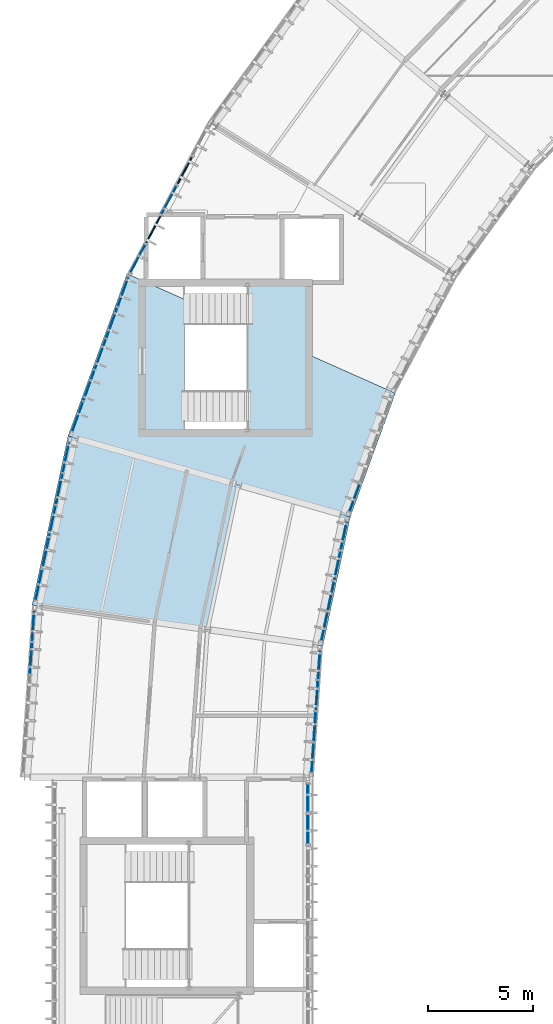
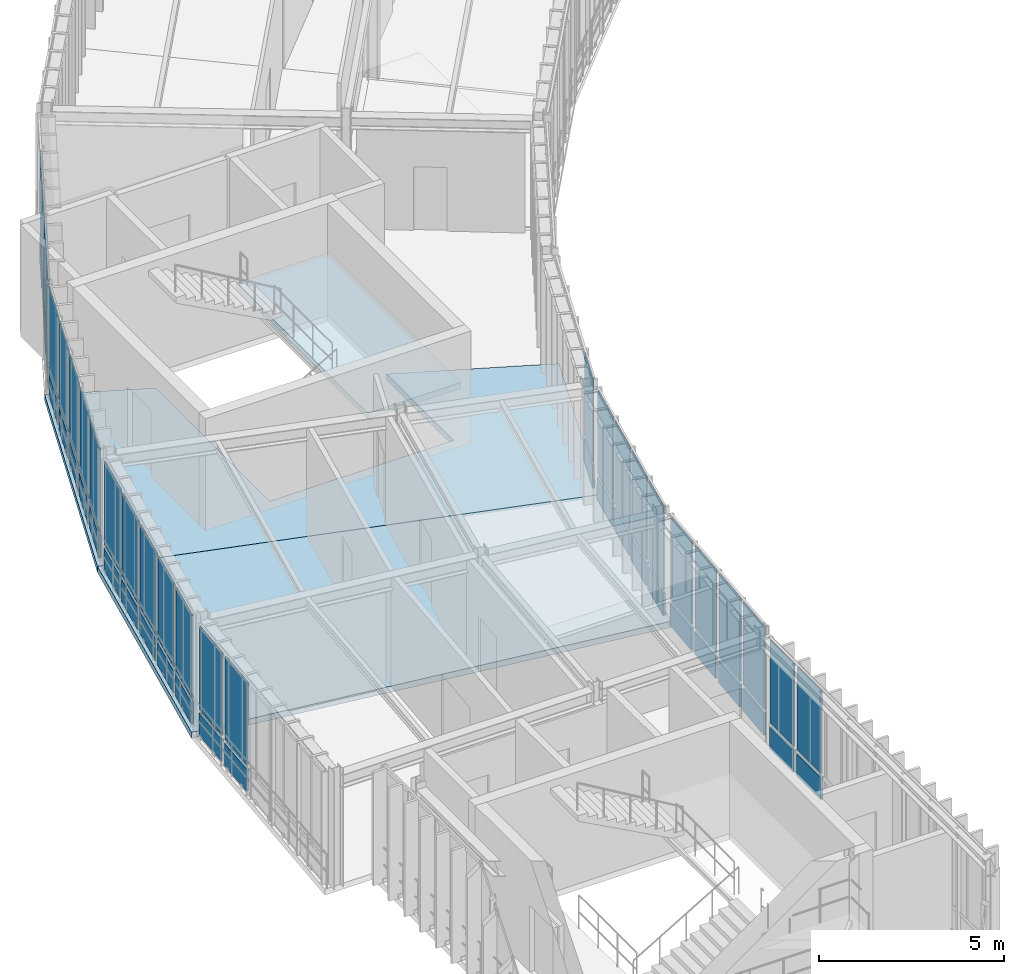
# One storey, part 10 of 25: 54 plates, 3 slabs, 9 elements without a shape of their own.
"""IFC4 building model written with IfcOpenShell, lengths in metres."""

from ifc_helpers import new_model, si_unit, direction, frame, origin, origin_2d, place, context, subcontext, project, spatial, polyline, rectangle, outline, extrude, material, layer, layer_set, type_object, element, aggregate, save


model = new_model("IFC4")

# Units and contexts
model_context = context("Model", 3, precision=1e-05, world=origin(), true_north=direction((0.0, 1.0)))
body_context = subcontext(model_context, "Body", "Model", "MODEL_VIEW")
ifc_project = project(units=[si_unit("LENGTHUNIT", "METRE"), si_unit("AREAUNIT", "SQUARE_METRE"), si_unit("VOLUMEUNIT", "CUBIC_METRE"), si_unit("PLANEANGLEUNIT", "RADIAN"), si_unit("MASSUNIT", "GRAM", prefix="KILO"), si_unit("THERMODYNAMICTEMPERATUREUNIT", "KELVIN"), si_unit("POWERUNIT", "WATT")], contexts=[model_context])

# Site, building, storey
site_placement = place(None, origin())
site = spatial("IfcSite", under=ifc_project, at=site_placement, CompositionType="ELEMENT")
building_placement = place(site_placement, origin())
building = spatial("IfcBuilding", under=site, at=building_placement, Name="Solvatero Civic Police Headquarters", CompositionType="ELEMENT")
storey_placement = place(building_placement, frame((0.0, 0.0, 25.5)))
storey = spatial("IfcBuildingStorey", under=building, at=storey_placement, Name="L06", CompositionType="ELEMENT", Elevation=25.5)

# Curtain wall, plates
ifc_material_1 = material(Name="Anodized Bronze Aluminium", Category="aluminium")
ifc_layer_1 = layer(ifc_material_1, 0.179931640625)
ifc_layer_set_1 = layer_set([ifc_layer_1], Name="Anodized Bronze Aluminium")
curtain_wall_type_1 = type_object("IfcCurtainWallType", Name="CW-ARC-OUT", PredefinedType="USERDEFINED", material=ifc_layer_set_1)
curtain_wall_1_placement = place(storey_placement, origin())
curtain_wall_1 = element("IfcCurtainWall", 1, at=curtain_wall_1_placement, inside=storey, type_object=curtain_wall_type_1, Name="Curtain Wall CW-R2-L06-ARC-OUT-B09", ObjectType="UNITISED", PredefinedType="USERDEFINED")
ifc_material_2 = material(Name="Triple Low-E Laminated Glass", Category="glass")
ifc_layer_2 = layer(ifc_material_2, 0.0380859375)
ifc_layer_set_2 = layer_set([ifc_layer_2], Name="Triple Low-E Laminated Glass")
plate_type_1 = type_object("IfcPlateType", Name="CWP-GLZ-38", PredefinedType="CURTAIN_PANEL", material=ifc_layer_set_2)
plate_1_placement = place(storey_placement, frame((42.1044921875, 53.5107421875, 0.909912109375), z_axis=(0.0, 0.0, 1.0), x_axis=(-0.469471562786, -0.882947592859, 0.0)))
plate_1 = element("IfcPlate", 2, at=plate_1_placement, type_object=plate_type_1, Name="CW-R2-L06-ARC-OUT-B09 Vision Glazing 3", PredefinedType="CURTAIN_PANEL", context=body_context, shape_type="SweptSolid", body=[
    extrude(rectangle(XDim=1.40966796875, YDim=0.0380859375, at=origin_2d()), origin(), (0.0, 0.0, 1.0), 2.72998046875),
])
plate_2_placement = place(storey_placement, frame((40.61181640625, 50.70361328125, 0.909912109375), z_axis=(0.0, 0.0, 1.0), x_axis=(-0.469471562786, -0.882947592859, 0.0)))
plate_2 = element("IfcPlate", 3, at=plate_2_placement, type_object=plate_type_1, Name="CW-R2-L06-ARC-OUT-B09 Vision Glazing 5", PredefinedType="CURTAIN_PANEL", context=body_context, shape_type="SweptSolid", body=[
    extrude(rectangle(XDim=1.40966796875, YDim=0.0380859375, at=origin_2d()), origin(), (0.0, 0.0, 1.0), 2.72998046875),
])

curtain_wall_2_placement = place(storey_placement, origin())
curtain_wall_2 = element("IfcCurtainWall", 4, at=curtain_wall_2_placement, inside=storey, type_object=curtain_wall_type_1, Name="Curtain Wall CW-R2-L06-ARC-OUT-B10", ObjectType="UNITISED", PredefinedType="USERDEFINED")
plate_3_placement = place(storey_placement, frame((39.91796875, 49.1455078125, 0.909912109375), z_axis=(0.0, 0.0, 1.0), x_axis=(-0.342020143326, -0.939692620786, 0.0)))
plate_3 = element("IfcPlate", 5, at=plate_3_placement, type_object=plate_type_1, Name="CW-R2-L06-ARC-OUT-B10 Vision Glazing 1", PredefinedType="CURTAIN_PANEL", context=body_context, shape_type="SweptSolid", body=[
    extrude(rectangle(XDim=1.40966796875, YDim=0.0380859375, at=origin_2d()), origin(), (0.0, 0.0, 1.0), 2.72998046875),
])
plate_4_placement = place(storey_placement, frame((38.83056640625, 46.15771484375, 0.909912109375), z_axis=(0.0, 0.0, 1.0), x_axis=(-0.342020143326, -0.939692620786, 0.0)))
plate_4 = element("IfcPlate", 6, at=plate_4_placement, type_object=plate_type_1, Name="CW-R2-L06-ARC-OUT-B10 Vision Glazing 3", PredefinedType="CURTAIN_PANEL", context=body_context, shape_type="SweptSolid", body=[
    extrude(rectangle(XDim=1.40966796875, YDim=0.0380859375, at=origin_2d()), origin(), (0.0, 0.0, 1.0), 2.72998046875),
])
plate_5_placement = place(storey_placement, frame((37.7431640625, 43.169921875, 0.909912109375), z_axis=(0.0, 0.0, 1.0), x_axis=(-0.342020143326, -0.939692620786, 0.0)))
plate_5 = element("IfcPlate", 7, at=plate_5_placement, type_object=plate_type_1, Name="CW-R2-L06-ARC-OUT-B10 Vision Glazing 5", PredefinedType="CURTAIN_PANEL", context=body_context, shape_type="SweptSolid", body=[
    extrude(rectangle(XDim=1.40966796875, YDim=0.0380859375, at=origin_2d()), origin(), (0.0, 0.0, 1.0), 2.72998046875),
])

# Curtain wall, plate
ifc_layer_3 = layer(ifc_material_1, 0.179931640625)
ifc_layer_set_3 = layer_set([ifc_layer_3], Name="Anodized Bronze Aluminium")
curtain_wall_type_2 = type_object("IfcCurtainWallType", Name="CW-ARC-IN", PredefinedType="USERDEFINED", material=ifc_layer_set_3)
curtain_wall_3_placement = place(storey_placement, origin())
curtain_wall_3 = element("IfcCurtainWall", 8, at=curtain_wall_3_placement, inside=storey, type_object=curtain_wall_type_2, Name="Curtain Wall CW-R2-L06-ARC-IN-B10", ObjectType="UNITISED", PredefinedType="USERDEFINED")
plate_6_placement = place(storey_placement, frame((50.942138671875, 39.300048828125, 0.909912109375), z_axis=(0.0, 0.0, 1.0), x_axis=(-0.342003742543, -0.93969859002, 0.0)))
plate_6 = element("IfcPlate", 9, at=plate_6_placement, type_object=plate_type_1, Name="CW-R2-L06-ARC-IN-B10 Vision Glazing 4", PredefinedType="CURTAIN_PANEL", context=body_context, shape_type="SweptSolid", body=[
    extrude(rectangle(XDim=1.30908203125, YDim=0.0380859375, at=origin_2d()), origin(), (0.0, 0.0, 1.0), 2.72998046875),
])

# Curtain wall, plates
curtain_wall_4_placement = place(storey_placement, origin())
curtain_wall_4 = element("IfcCurtainWall", 10, at=curtain_wall_4_placement, inside=storey, type_object=curtain_wall_type_1, Name="Curtain Wall CW-R2-L06-ARC-OUT-B11", ObjectType="UNITISED", PredefinedType="USERDEFINED")
plate_7_placement = place(storey_placement, frame((37.19580078125, 41.263916015625, 0.909912109375), z_axis=(0.0, 0.0, 1.0), x_axis=(-0.207911690818, -0.978147600734, 0.0)))
plate_7 = element("IfcPlate", 11, at=plate_7_placement, type_object=plate_type_1, Name="CW-R2-L06-ARC-OUT-B11 Vision Glazing 1", PredefinedType="CURTAIN_PANEL", context=body_context, shape_type="SweptSolid", body=[
    extrude(rectangle(XDim=1.382568359375, YDim=0.0380859375, at=origin_2d()), origin(), (0.0, 0.0, 1.0), 2.72998046875),
])
plate_8_placement = place(storey_placement, frame((36.5458984375, 38.207275390625, 0.909912109375), z_axis=(0.0, 0.0, 1.0), x_axis=(-0.207911690818, -0.978147600734, 0.0)))
plate_8 = element("IfcPlate", 12, at=plate_8_placement, type_object=plate_type_1, Name="CW-R2-L06-ARC-OUT-B11 Vision Glazing 3", PredefinedType="CURTAIN_PANEL", context=body_context, shape_type="SweptSolid", body=[
    extrude(rectangle(XDim=1.382568359375, YDim=0.0380859375, at=origin_2d()), origin(), (0.0, 0.0, 1.0), 2.72998046875),
])
plate_9_placement = place(storey_placement, frame((35.896240234375, 35.150390625, 0.909912109375), z_axis=(0.0, 0.0, 1.0), x_axis=(-0.207911690818, -0.978147600734, 0.0)))
plate_9 = element("IfcPlate", 13, at=plate_9_placement, type_object=plate_type_1, Name="CW-R2-L06-ARC-OUT-B11 Vision Glazing 5", PredefinedType="CURTAIN_PANEL", context=body_context, shape_type="SweptSolid", body=[
    extrude(rectangle(XDim=1.382568359375, YDim=0.0380859375, at=origin_2d()), origin(), (0.0, 0.0, 1.0), 2.72998046875),
])

curtain_wall_5_placement = place(storey_placement, origin())
curtain_wall_5 = element("IfcCurtainWall", 14, at=curtain_wall_5_placement, inside=storey, type_object=curtain_wall_type_2, Name="Curtain Wall CW-R2-L06-ARC-IN-B11", ObjectType="UNITISED", PredefinedType="USERDEFINED")
plate_10_placement = place(storey_placement, frame((50.127197265625, 36.08154296875, 0.909912109375), z_axis=(0.0, 0.0, 1.0), x_axis=(-0.207911690818, -0.978147600734, 0.0)))
plate_10 = element("IfcPlate", 15, at=plate_10_placement, type_object=plate_type_1, Name="CW-R2-L06-ARC-IN-B11 Vision Glazing 2", PredefinedType="CURTAIN_PANEL", context=body_context, shape_type="SweptSolid", body=[
    extrude(rectangle(XDim=1.30908203125, YDim=0.0380859375, at=origin_2d()), origin(), (0.0, 0.0, 1.0), 2.72998046875),
])
plate_11_placement = place(storey_placement, frame((49.508056640625, 33.168212890625, 0.909912109375), z_axis=(0.0, 0.0, 1.0), x_axis=(-0.207911690818, -0.978147600734, 0.0)))
plate_11 = element("IfcPlate", 16, at=plate_11_placement, type_object=plate_type_1, Name="CW-R2-L06-ARC-IN-B11 Vision Glazing 4", PredefinedType="CURTAIN_PANEL", context=body_context, shape_type="SweptSolid", body=[
    extrude(rectangle(XDim=1.30908203125, YDim=0.0380859375, at=origin_2d()), origin(), (0.0, 0.0, 1.0), 2.72998046875),
])

# Curtain wall, plate
curtain_wall_6_placement = place(storey_placement, origin())
curtain_wall_6 = element("IfcCurtainWall", 17, at=curtain_wall_6_placement, inside=storey, type_object=curtain_wall_type_1, Name="Curtain Wall CW-R2-L06-ARC-OUT-B12", ObjectType="UNITISED", PredefinedType="USERDEFINED")
plate_12_placement = place(storey_placement, frame((35.624755859375, 33.2197265625, 0.909912109375), z_axis=(0.0, 0.0, 1.0), x_axis=(-0.069739062956, -0.997565267588, 0.0)))
plate_12 = element("IfcPlate", 18, at=plate_12_placement, type_object=plate_type_1, Name="CW-R2-L06-ARC-OUT-B12 Vision Glazing 1", PredefinedType="CURTAIN_PANEL", context=body_context, shape_type="SweptSolid", body=[
    extrude(rectangle(XDim=1.382568359375, YDim=0.0380859375, at=origin_2d()), origin(), (0.0, 0.0, 1.0), 2.72998046875),
])

# Curtain wall, plates
curtain_wall_7_placement = place(storey_placement, origin())
curtain_wall_7 = element("IfcCurtainWall", 19, at=curtain_wall_7_placement, inside=storey, type_object=curtain_wall_type_2, Name="Curtain Wall CW-R2-L06-ARC-IN-B12", ObjectType="UNITISED", PredefinedType="USERDEFINED")
plate_13_placement = place(storey_placement, frame((49.15185546875, 29.887451171875, 0.909912109375), z_axis=(0.0, 0.0, 1.0), x_axis=(-0.069773884511, -0.997562832628, 0.0)))
plate_13 = element("IfcPlate", 20, at=plate_13_placement, type_object=plate_type_1, Name="CW-R2-L06-ARC-IN-B12 Vision Glazing 2", PredefinedType="CURTAIN_PANEL", context=body_context, shape_type="SweptSolid", body=[
    extrude(rectangle(XDim=1.30908203125, YDim=0.0380859375, at=origin_2d()), origin(), (0.0, 0.0, 1.0), 2.72998046875),
])
plate_14_placement = place(storey_placement, frame((48.944091796875, 26.91650390625, 0.909912109375), z_axis=(0.0, 0.0, 1.0), x_axis=(-0.069773884511, -0.997562832628, 0.0)))
plate_14 = element("IfcPlate", 21, at=plate_14_placement, type_object=plate_type_1, Name="CW-R2-L06-ARC-IN-B12 Vision Glazing 4", PredefinedType="CURTAIN_PANEL", context=body_context, shape_type="SweptSolid", body=[
    extrude(rectangle(XDim=1.30908203125, YDim=0.0380859375, at=origin_2d()), origin(), (0.0, 0.0, 1.0), 2.72998046875),
])

# Curtain wall, plate
ifc_layer_4 = layer(ifc_material_1, 0.179931640625)
ifc_layer_set_4 = layer_set([ifc_layer_4], Name="Anodized Bronze Aluminium")
curtain_wall_type_3 = type_object("IfcCurtainWallType", Name="CW-PROW-GLZ", PredefinedType="USERDEFINED", material=ifc_layer_set_4)
curtain_wall_8_placement = place(storey_placement, origin())
curtain_wall_8 = element("IfcCurtainWall", 22, at=curtain_wall_8_placement, inside=storey, type_object=curtain_wall_type_3, Name="Curtain Wall CW-R2-L06-PROW-E", ObjectType="UNITISED", PredefinedType="USERDEFINED")
plate_15_placement = place(storey_placement, frame((48.719970703125, 25.00048828125, 0.909912109375), z_axis=(0.0, 0.0, 1.0), x_axis=(0.0, 1.0, 0.0)))
plate_15 = element("IfcPlate", 23, at=plate_15_placement, type_object=plate_type_1, Name="CW-R2-L06-PROW-E Vision Glazing 8", PredefinedType="CURTAIN_PANEL", context=body_context, shape_type="SweptSolid", body=[
    extrude(rectangle(XDim=1.298828125, YDim=0.0380859375, at=origin_2d()), origin(), (0.0, 0.0, 1.0), 2.72998046875),
])

# Plate
ifc_material_3 = material(Name="Acoustic Ballistic Laminated Glass", Category="glass")
ifc_layer_5 = layer(ifc_material_3, 0.0439453125)
ifc_layer_set_5 = layer_set([ifc_layer_5], Name="Acoustic Ballistic Laminated Glass")
plate_type_2 = type_object("IfcPlateType", Name="CWP-GLZ-44", PredefinedType="CURTAIN_PANEL", material=ifc_layer_set_5)
plate_16_placement = place(storey_placement, frame((42.8505859375, 54.914306640625, 0.909912109375), z_axis=(0.0, 0.0, 1.0), x_axis=(-0.469471562786, -0.882947592859, 0.0)))
plate_16 = element("IfcPlate", 24, at=plate_16_placement, type_object=plate_type_2, Name="CW-R2-L06-ARC-OUT-B09 Vision Glazing 2", PredefinedType="CURTAIN_PANEL", context=body_context, shape_type="SweptSolid", body=[
    extrude(rectangle(XDim=1.40966796875, YDim=0.0439453125, at=origin_2d()), origin(), (0.0, 0.0, 1.0), 2.72998046875),
])

plate_17_placement = place(storey_placement, frame((41.358154296875, 52.107177734375, 0.909912109375), z_axis=(0.0, 0.0, 1.0), x_axis=(-0.469471562786, -0.882947592859, 0.0)))
plate_17 = element("IfcPlate", 25, at=plate_17_placement, type_object=plate_type_2, Name="CW-R2-L06-ARC-OUT-B09 Vision Glazing 4", PredefinedType="CURTAIN_PANEL", context=body_context, shape_type="SweptSolid", body=[
    extrude(rectangle(XDim=1.40966796875, YDim=0.0439453125, at=origin_2d()), origin(), (0.0, 0.0, 1.0), 2.72998046875),
])

plate_18_placement = place(storey_placement, frame((39.374267578125, 47.651611328125, 0.909912109375), z_axis=(0.0, 0.0, 1.0), x_axis=(-0.342020143326, -0.939692620786, 0.0)))
plate_18 = element("IfcPlate", 26, at=plate_18_placement, type_object=plate_type_2, Name="CW-R2-L06-ARC-OUT-B10 Vision Glazing 2", PredefinedType="CURTAIN_PANEL", context=body_context, shape_type="SweptSolid", body=[
    extrude(rectangle(XDim=1.40966796875, YDim=0.0439453125, at=origin_2d()), origin(), (0.0, 0.0, 1.0), 2.72998046875),
])

plate_19_placement = place(storey_placement, frame((38.286865234375, 44.663818359375, 0.909912109375), z_axis=(0.0, 0.0, 1.0), x_axis=(-0.342020143326, -0.939692620786, 0.0)))
plate_19 = element("IfcPlate", 27, at=plate_19_placement, type_object=plate_type_2, Name="CW-R2-L06-ARC-OUT-B10 Vision Glazing 4", PredefinedType="CURTAIN_PANEL", context=body_context, shape_type="SweptSolid", body=[
    extrude(rectangle(XDim=1.40966796875, YDim=0.0439453125, at=origin_2d()), origin(), (0.0, 0.0, 1.0), 2.72998046875),
])

plate_20_placement = place(storey_placement, frame((36.870849609375, 39.735595703125, 0.909912109375), z_axis=(0.0, 0.0, 1.0), x_axis=(-0.207911690818, -0.978147600734, 0.0)))
plate_20 = element("IfcPlate", 28, at=plate_20_placement, type_object=plate_type_2, Name="CW-R2-L06-ARC-OUT-B11 Vision Glazing 2", PredefinedType="CURTAIN_PANEL", context=body_context, shape_type="SweptSolid", body=[
    extrude(rectangle(XDim=1.382568359375, YDim=0.0439453125, at=origin_2d()), origin(), (0.0, 0.0, 1.0), 2.72998046875),
])

plate_21_placement = place(storey_placement, frame((36.22119140625, 36.6787109375, 0.909912109375), z_axis=(0.0, 0.0, 1.0), x_axis=(-0.207911690818, -0.978147600734, 0.0)))
plate_21 = element("IfcPlate", 29, at=plate_21_placement, type_object=plate_type_2, Name="CW-R2-L06-ARC-OUT-B11 Vision Glazing 4", PredefinedType="CURTAIN_PANEL", context=body_context, shape_type="SweptSolid", body=[
    extrude(rectangle(XDim=1.382568359375, YDim=0.0439453125, at=origin_2d()), origin(), (0.0, 0.0, 1.0), 2.72998046875),
])

plate_22_placement = place(storey_placement, frame((50.43701171875, 37.538330078125, 0.909912109375), z_axis=(0.0, 0.0, 1.0), x_axis=(-0.207911690818, -0.978147600734, 0.0)))
plate_22 = element("IfcPlate", 30, at=plate_22_placement, type_object=plate_type_2, Name="CW-R2-L06-ARC-IN-B11 Vision Glazing 1", PredefinedType="CURTAIN_PANEL", context=body_context, shape_type="SweptSolid", body=[
    extrude(rectangle(XDim=1.30908203125, YDim=0.0439453125, at=origin_2d()), origin(), (0.0, 0.0, 1.0), 2.72998046875),
])

plate_23_placement = place(storey_placement, frame((49.817626953125, 34.625, 0.909912109375), z_axis=(0.0, 0.0, 1.0), x_axis=(-0.207911690818, -0.978147600734, 0.0)))
plate_23 = element("IfcPlate", 31, at=plate_23_placement, type_object=plate_type_2, Name="CW-R2-L06-ARC-IN-B11 Vision Glazing 3", PredefinedType="CURTAIN_PANEL", context=body_context, shape_type="SweptSolid", body=[
    extrude(rectangle(XDim=1.30908203125, YDim=0.0439453125, at=origin_2d()), origin(), (0.0, 0.0, 1.0), 2.72998046875),
])

plate_24_placement = place(storey_placement, frame((35.515869140625, 31.660888671875, 0.909912109375), z_axis=(0.0, 0.0, 1.0), x_axis=(-0.069739062956, -0.997565267588, 0.0)))
plate_24 = element("IfcPlate", 32, at=plate_24_placement, type_object=plate_type_2, Name="CW-R2-L06-ARC-OUT-B12 Vision Glazing 2", PredefinedType="CURTAIN_PANEL", context=body_context, shape_type="SweptSolid", body=[
    extrude(rectangle(XDim=1.382568359375, YDim=0.0439453125, at=origin_2d()), origin(), (0.0, 0.0, 1.0), 2.72998046875),
])

plate_25_placement = place(storey_placement, frame((49.255859375, 31.373046875, 0.909912109375), z_axis=(0.0, 0.0, 1.0), x_axis=(-0.069773884511, -0.997562832628, 0.0)))
plate_25 = element("IfcPlate", 33, at=plate_25_placement, type_object=plate_type_2, Name="CW-R2-L06-ARC-IN-B12 Vision Glazing 1", PredefinedType="CURTAIN_PANEL", context=body_context, shape_type="SweptSolid", body=[
    extrude(rectangle(XDim=1.30908203125, YDim=0.0439453125, at=origin_2d()), origin(), (0.0, 0.0, 1.0), 2.72998046875),
])

plate_26_placement = place(storey_placement, frame((49.048095703125, 28.402099609375, 0.909912109375), z_axis=(0.0, 0.0, 1.0), x_axis=(-0.069773884511, -0.997562832628, 0.0)))
plate_26 = element("IfcPlate", 34, at=plate_26_placement, type_object=plate_type_2, Name="CW-R2-L06-ARC-IN-B12 Vision Glazing 3", PredefinedType="CURTAIN_PANEL", context=body_context, shape_type="SweptSolid", body=[
    extrude(rectangle(XDim=1.30908203125, YDim=0.0439453125, at=origin_2d()), origin(), (0.0, 0.0, 1.0), 2.72998046875),
])

plate_27_placement = place(storey_placement, frame((48.719970703125, 23.52197265625, 0.909912109375), z_axis=(0.0, 0.0, 1.0), x_axis=(0.0, 1.0, 0.0)))
plate_27 = element("IfcPlate", 35, at=plate_27_placement, type_object=plate_type_2, Name="CW-R2-L06-PROW-E Vision Glazing 7", PredefinedType="CURTAIN_PANEL", context=body_context, shape_type="SweptSolid", body=[
    extrude(rectangle(XDim=1.298828125, YDim=0.0439453125, at=origin_2d()), origin(), (0.0, 0.0, 1.0), 2.72998046875),
])

ifc_material_4 = material(Name="Insulated Bronze Aluminium Spandrel", Category="aluminium")
ifc_layer_6 = layer(ifc_material_4, 0.06005859375)
ifc_layer_set_6 = layer_set([ifc_layer_6], Name="Insulated Bronze Aluminium Spandrel")
plate_type_3 = type_object("IfcPlateType", Name="CWP-SPN-60", PredefinedType="CURTAIN_PANEL", material=ifc_layer_set_6)
plate_28_placement = place(storey_placement, frame((42.1044921875, 53.5107421875, 0.06005859375), z_axis=(0.0, 0.0, 1.0), x_axis=(-0.469471562786, -0.882947592859, 0.0)))
plate_28 = element("IfcPlate", 36, at=plate_28_placement, type_object=plate_type_3, Name="CW-R2-L06-ARC-OUT-B09 Spandrel Panel 3", PredefinedType="CURTAIN_PANEL", context=body_context, shape_type="SweptSolid", body=[
    extrude(rectangle(XDim=1.40966796875, YDim=0.06005859375, at=origin_2d()), origin(), (0.0, 0.0, 1.0), 0.72998046875),
])

plate_29_placement = place(storey_placement, frame((40.61181640625, 50.70361328125, 0.06005859375), z_axis=(0.0, 0.0, 1.0), x_axis=(-0.469471562786, -0.882947592859, 0.0)))
plate_29 = element("IfcPlate", 37, at=plate_29_placement, type_object=plate_type_3, Name="CW-R2-L06-ARC-OUT-B09 Spandrel Panel 5", PredefinedType="CURTAIN_PANEL", context=body_context, shape_type="SweptSolid", body=[
    extrude(rectangle(XDim=1.40966796875, YDim=0.06005859375, at=origin_2d()), origin(), (0.0, 0.0, 1.0), 0.72998046875),
])

plate_30_placement = place(storey_placement, frame((39.91796875, 49.1455078125, 0.06005859375), z_axis=(0.0, 0.0, 1.0), x_axis=(-0.342020143326, -0.939692620786, 0.0)))
plate_30 = element("IfcPlate", 38, at=plate_30_placement, type_object=plate_type_3, Name="CW-R2-L06-ARC-OUT-B10 Spandrel Panel 1", PredefinedType="CURTAIN_PANEL", context=body_context, shape_type="SweptSolid", body=[
    extrude(rectangle(XDim=1.40966796875, YDim=0.06005859375, at=origin_2d()), origin(), (0.0, 0.0, 1.0), 0.72998046875),
])

plate_31_placement = place(storey_placement, frame((38.83056640625, 46.15771484375, 0.06005859375), z_axis=(0.0, 0.0, 1.0), x_axis=(-0.342020143326, -0.939692620786, 0.0)))
plate_31 = element("IfcPlate", 39, at=plate_31_placement, type_object=plate_type_3, Name="CW-R2-L06-ARC-OUT-B10 Spandrel Panel 3", PredefinedType="CURTAIN_PANEL", context=body_context, shape_type="SweptSolid", body=[
    extrude(rectangle(XDim=1.40966796875, YDim=0.06005859375, at=origin_2d()), origin(), (0.0, 0.0, 1.0), 0.72998046875),
])

plate_32_placement = place(storey_placement, frame((37.7431640625, 43.169921875, 0.06005859375), z_axis=(0.0, 0.0, 1.0), x_axis=(-0.342020143326, -0.939692620786, 0.0)))
plate_32 = element("IfcPlate", 40, at=plate_32_placement, type_object=plate_type_3, Name="CW-R2-L06-ARC-OUT-B10 Spandrel Panel 5", PredefinedType="CURTAIN_PANEL", context=body_context, shape_type="SweptSolid", body=[
    extrude(rectangle(XDim=1.40966796875, YDim=0.06005859375, at=origin_2d()), origin(), (0.0, 0.0, 1.0), 0.72998046875),
])

plate_33_placement = place(storey_placement, frame((50.942138671875, 39.300048828125, 0.06005859375), z_axis=(0.0, 0.0, 1.0), x_axis=(-0.342003742543, -0.93969859002, 0.0)))
plate_33 = element("IfcPlate", 41, at=plate_33_placement, type_object=plate_type_3, Name="CW-R2-L06-ARC-IN-B10 Spandrel Panel 4", PredefinedType="CURTAIN_PANEL", context=body_context, shape_type="SweptSolid", body=[
    extrude(rectangle(XDim=1.30908203125, YDim=0.06005859375, at=origin_2d()), origin(), (0.0, 0.0, 1.0), 0.72998046875),
])

aggregate(curtain_wall_3, [plate_33, plate_6])

plate_34_placement = place(storey_placement, frame((37.19580078125, 41.263916015625, 0.06005859375), z_axis=(0.0, 0.0, 1.0), x_axis=(-0.207911690818, -0.978147600734, 0.0)))
plate_34 = element("IfcPlate", 42, at=plate_34_placement, type_object=plate_type_3, Name="CW-R2-L06-ARC-OUT-B11 Spandrel Panel 1", PredefinedType="CURTAIN_PANEL", context=body_context, shape_type="SweptSolid", body=[
    extrude(rectangle(XDim=1.382568359375, YDim=0.06005859375, at=origin_2d()), origin(), (0.0, 0.0, 1.0), 0.72998046875),
])

plate_35_placement = place(storey_placement, frame((36.5458984375, 38.207275390625, 0.06005859375), z_axis=(0.0, 0.0, 1.0), x_axis=(-0.207911690818, -0.978147600734, 0.0)))
plate_35 = element("IfcPlate", 43, at=plate_35_placement, type_object=plate_type_3, Name="CW-R2-L06-ARC-OUT-B11 Spandrel Panel 3", PredefinedType="CURTAIN_PANEL", context=body_context, shape_type="SweptSolid", body=[
    extrude(rectangle(XDim=1.382568359375, YDim=0.06005859375, at=origin_2d()), origin(), (0.0, 0.0, 1.0), 0.72998046875),
])

plate_36_placement = place(storey_placement, frame((35.896240234375, 35.150390625, 0.06005859375), z_axis=(0.0, 0.0, 1.0), x_axis=(-0.207911690818, -0.978147600734, 0.0)))
plate_36 = element("IfcPlate", 44, at=plate_36_placement, type_object=plate_type_3, Name="CW-R2-L06-ARC-OUT-B11 Spandrel Panel 5", PredefinedType="CURTAIN_PANEL", context=body_context, shape_type="SweptSolid", body=[
    extrude(rectangle(XDim=1.382568359375, YDim=0.06005859375, at=origin_2d()), origin(), (0.0, 0.0, 1.0), 0.72998046875),
])

plate_37_placement = place(storey_placement, frame((50.127197265625, 36.08154296875, 0.06005859375), z_axis=(0.0, 0.0, 1.0), x_axis=(-0.207911690818, -0.978147600734, 0.0)))
plate_37 = element("IfcPlate", 45, at=plate_37_placement, type_object=plate_type_3, Name="CW-R2-L06-ARC-IN-B11 Spandrel Panel 2", PredefinedType="CURTAIN_PANEL", context=body_context, shape_type="SweptSolid", body=[
    extrude(rectangle(XDim=1.30908203125, YDim=0.06005859375, at=origin_2d()), origin(), (0.0, 0.0, 1.0), 0.72998046875),
])

plate_38_placement = place(storey_placement, frame((49.508056640625, 33.168212890625, 0.06005859375), z_axis=(0.0, 0.0, 1.0), x_axis=(-0.207911690818, -0.978147600734, 0.0)))
plate_38 = element("IfcPlate", 46, at=plate_38_placement, type_object=plate_type_3, Name="CW-R2-L06-ARC-IN-B11 Spandrel Panel 4", PredefinedType="CURTAIN_PANEL", context=body_context, shape_type="SweptSolid", body=[
    extrude(rectangle(XDim=1.30908203125, YDim=0.06005859375, at=origin_2d()), origin(), (0.0, 0.0, 1.0), 0.72998046875),
])

plate_39_placement = place(storey_placement, frame((35.624755859375, 33.2197265625, 0.06005859375), z_axis=(0.0, 0.0, 1.0), x_axis=(-0.069739062956, -0.997565267588, 0.0)))
plate_39 = element("IfcPlate", 47, at=plate_39_placement, type_object=plate_type_3, Name="CW-R2-L06-ARC-OUT-B12 Spandrel Panel 1", PredefinedType="CURTAIN_PANEL", context=body_context, shape_type="SweptSolid", body=[
    extrude(rectangle(XDim=1.382568359375, YDim=0.06005859375, at=origin_2d()), origin(), (0.0, 0.0, 1.0), 0.72998046875),
])

plate_40_placement = place(storey_placement, frame((49.15185546875, 29.887451171875, 0.06005859375), z_axis=(0.0, 0.0, 1.0), x_axis=(-0.069773884511, -0.997562832628, 0.0)))
plate_40 = element("IfcPlate", 48, at=plate_40_placement, type_object=plate_type_3, Name="CW-R2-L06-ARC-IN-B12 Spandrel Panel 2", PredefinedType="CURTAIN_PANEL", context=body_context, shape_type="SweptSolid", body=[
    extrude(rectangle(XDim=1.30908203125, YDim=0.06005859375, at=origin_2d()), origin(), (0.0, 0.0, 1.0), 0.72998046875),
])

plate_41_placement = place(storey_placement, frame((48.944091796875, 26.91650390625, 0.06005859375), z_axis=(0.0, 0.0, 1.0), x_axis=(-0.069773884511, -0.997562832628, 0.0)))
plate_41 = element("IfcPlate", 49, at=plate_41_placement, type_object=plate_type_3, Name="CW-R2-L06-ARC-IN-B12 Spandrel Panel 4", PredefinedType="CURTAIN_PANEL", context=body_context, shape_type="SweptSolid", body=[
    extrude(rectangle(XDim=1.30908203125, YDim=0.06005859375, at=origin_2d()), origin(), (0.0, 0.0, 1.0), 0.72998046875),
])

plate_42_placement = place(storey_placement, frame((48.719970703125, 25.00048828125, 0.06005859375), z_axis=(0.0, 0.0, 1.0), x_axis=(0.0, 1.0, 0.0)))
plate_42 = element("IfcPlate", 50, at=plate_42_placement, type_object=plate_type_3, Name="CW-R2-L06-PROW-E Spandrel Panel 8", PredefinedType="CURTAIN_PANEL", context=body_context, shape_type="SweptSolid", body=[
    extrude(rectangle(XDim=1.298828125, YDim=0.06005859375, at=origin_2d()), origin(), (0.0, 0.0, 1.0), 0.72998046875),
])

ifc_material_5 = material(Name="Limestone Veneer Spandrel Panel", Category="masonry")
ifc_layer_7 = layer(ifc_material_5, 0.074951171875)
ifc_layer_set_7 = layer_set([ifc_layer_7], Name="Limestone Veneer Spandrel Panel")
plate_type_4 = type_object("IfcPlateType", Name="CWP-SPN-75", PredefinedType="CURTAIN_PANEL", material=ifc_layer_set_7)
plate_43_placement = place(storey_placement, frame((42.8505859375, 54.914306640625, 0.06005859375), z_axis=(0.0, 0.0, 1.0), x_axis=(-0.469471562786, -0.882947592859, 0.0)))
plate_43 = element("IfcPlate", 51, at=plate_43_placement, type_object=plate_type_4, Name="CW-R2-L06-ARC-OUT-B09 Spandrel Panel 2", PredefinedType="CURTAIN_PANEL", context=body_context, shape_type="SweptSolid", body=[
    extrude(rectangle(XDim=1.40966796875, YDim=0.074951171875, at=origin_2d()), origin(), (0.0, 0.0, 1.0), 0.72998046875),
])

plate_44_placement = place(storey_placement, frame((41.358154296875, 52.107177734375, 0.06005859375), z_axis=(0.0, 0.0, 1.0), x_axis=(-0.469471562786, -0.882947592859, 0.0)))
plate_44 = element("IfcPlate", 52, at=plate_44_placement, type_object=plate_type_4, Name="CW-R2-L06-ARC-OUT-B09 Spandrel Panel 4", PredefinedType="CURTAIN_PANEL", context=body_context, shape_type="SweptSolid", body=[
    extrude(rectangle(XDim=1.40966796875, YDim=0.074951171875, at=origin_2d()), origin(), (0.0, 0.0, 1.0), 0.72998046875),
])

aggregate(curtain_wall_1, [plate_43, plate_16, plate_28, plate_1, plate_44, plate_17, plate_29, plate_2])

plate_45_placement = place(storey_placement, frame((39.374267578125, 47.651611328125, 0.06005859375), z_axis=(0.0, 0.0, 1.0), x_axis=(-0.342020143326, -0.939692620786, 0.0)))
plate_45 = element("IfcPlate", 53, at=plate_45_placement, type_object=plate_type_4, Name="CW-R2-L06-ARC-OUT-B10 Spandrel Panel 2", PredefinedType="CURTAIN_PANEL", context=body_context, shape_type="SweptSolid", body=[
    extrude(rectangle(XDim=1.40966796875, YDim=0.074951171875, at=origin_2d()), origin(), (0.0, 0.0, 1.0), 0.72998046875),
])

plate_46_placement = place(storey_placement, frame((38.286865234375, 44.663818359375, 0.06005859375), z_axis=(0.0, 0.0, 1.0), x_axis=(-0.342020143326, -0.939692620786, 0.0)))
plate_46 = element("IfcPlate", 54, at=plate_46_placement, type_object=plate_type_4, Name="CW-R2-L06-ARC-OUT-B10 Spandrel Panel 4", PredefinedType="CURTAIN_PANEL", context=body_context, shape_type="SweptSolid", body=[
    extrude(rectangle(XDim=1.40966796875, YDim=0.074951171875, at=origin_2d()), origin(), (0.0, 0.0, 1.0), 0.72998046875),
])

aggregate(curtain_wall_2, [plate_30, plate_3, plate_45, plate_18, plate_31, plate_4, plate_46, plate_19, plate_32, plate_5])

plate_47_placement = place(storey_placement, frame((36.870849609375, 39.735595703125, 0.06005859375), z_axis=(0.0, 0.0, 1.0), x_axis=(-0.207911690818, -0.978147600734, 0.0)))
plate_47 = element("IfcPlate", 55, at=plate_47_placement, type_object=plate_type_4, Name="CW-R2-L06-ARC-OUT-B11 Spandrel Panel 2", PredefinedType="CURTAIN_PANEL", context=body_context, shape_type="SweptSolid", body=[
    extrude(rectangle(XDim=1.382568359375, YDim=0.074951171875, at=origin_2d()), origin(), (0.0, 0.0, 1.0), 0.72998046875),
])

plate_48_placement = place(storey_placement, frame((36.22119140625, 36.6787109375, 0.06005859375), z_axis=(0.0, 0.0, 1.0), x_axis=(-0.207911690818, -0.978147600734, 0.0)))
plate_48 = element("IfcPlate", 56, at=plate_48_placement, type_object=plate_type_4, Name="CW-R2-L06-ARC-OUT-B11 Spandrel Panel 4", PredefinedType="CURTAIN_PANEL", context=body_context, shape_type="SweptSolid", body=[
    extrude(rectangle(XDim=1.382568359375, YDim=0.074951171875, at=origin_2d()), origin(), (0.0, 0.0, 1.0), 0.72998046875),
])

aggregate(curtain_wall_4, [plate_34, plate_7, plate_47, plate_20, plate_35, plate_8, plate_48, plate_21, plate_36, plate_9])

plate_49_placement = place(storey_placement, frame((50.43701171875, 37.538330078125, 0.06005859375), z_axis=(0.0, 0.0, 1.0), x_axis=(-0.207911690818, -0.978147600734, 0.0)))
plate_49 = element("IfcPlate", 57, at=plate_49_placement, type_object=plate_type_4, Name="CW-R2-L06-ARC-IN-B11 Spandrel Panel 1", PredefinedType="CURTAIN_PANEL", context=body_context, shape_type="SweptSolid", body=[
    extrude(rectangle(XDim=1.30908203125, YDim=0.074951171875, at=origin_2d()), origin(), (0.0, 0.0, 1.0), 0.72998046875),
])

plate_50_placement = place(storey_placement, frame((49.817626953125, 34.625, 0.06005859375), z_axis=(0.0, 0.0, 1.0), x_axis=(-0.207911690818, -0.978147600734, 0.0)))
plate_50 = element("IfcPlate", 58, at=plate_50_placement, type_object=plate_type_4, Name="CW-R2-L06-ARC-IN-B11 Spandrel Panel 3", PredefinedType="CURTAIN_PANEL", context=body_context, shape_type="SweptSolid", body=[
    extrude(rectangle(XDim=1.30908203125, YDim=0.074951171875, at=origin_2d()), origin(), (0.0, 0.0, 1.0), 0.72998046875),
])

aggregate(curtain_wall_5, [plate_49, plate_22, plate_37, plate_10, plate_50, plate_23, plate_38, plate_11])

plate_51_placement = place(storey_placement, frame((35.515869140625, 31.660888671875, 0.06005859375), z_axis=(0.0, 0.0, 1.0), x_axis=(-0.069739062956, -0.997565267588, 0.0)))
plate_51 = element("IfcPlate", 59, at=plate_51_placement, type_object=plate_type_4, Name="CW-R2-L06-ARC-OUT-B12 Spandrel Panel 2", PredefinedType="CURTAIN_PANEL", context=body_context, shape_type="SweptSolid", body=[
    extrude(rectangle(XDim=1.382568359375, YDim=0.074951171875, at=origin_2d()), origin(), (0.0, 0.0, 1.0), 0.72998046875),
])

aggregate(curtain_wall_6, [plate_39, plate_12, plate_51, plate_24])

plate_52_placement = place(storey_placement, frame((49.255859375, 31.373046875, 0.06005859375), z_axis=(0.0, 0.0, 1.0), x_axis=(-0.069773884511, -0.997562832628, 0.0)))
plate_52 = element("IfcPlate", 60, at=plate_52_placement, type_object=plate_type_4, Name="CW-R2-L06-ARC-IN-B12 Spandrel Panel 1", PredefinedType="CURTAIN_PANEL", context=body_context, shape_type="SweptSolid", body=[
    extrude(rectangle(XDim=1.30908203125, YDim=0.074951171875, at=origin_2d()), origin(), (0.0, 0.0, 1.0), 0.72998046875),
])

plate_53_placement = place(storey_placement, frame((49.048095703125, 28.402099609375, 0.06005859375), z_axis=(0.0, 0.0, 1.0), x_axis=(-0.069773884511, -0.997562832628, 0.0)))
plate_53 = element("IfcPlate", 61, at=plate_53_placement, type_object=plate_type_4, Name="CW-R2-L06-ARC-IN-B12 Spandrel Panel 3", PredefinedType="CURTAIN_PANEL", context=body_context, shape_type="SweptSolid", body=[
    extrude(rectangle(XDim=1.30908203125, YDim=0.074951171875, at=origin_2d()), origin(), (0.0, 0.0, 1.0), 0.72998046875),
])

aggregate(curtain_wall_7, [plate_52, plate_25, plate_40, plate_13, plate_53, plate_26, plate_41, plate_14])

plate_54_placement = place(storey_placement, frame((48.719970703125, 23.52197265625, 0.06005859375), z_axis=(0.0, 0.0, 1.0), x_axis=(0.0, 1.0, 0.0)))
plate_54 = element("IfcPlate", 62, at=plate_54_placement, type_object=plate_type_4, Name="CW-R2-L06-PROW-E Spandrel Panel 7", PredefinedType="CURTAIN_PANEL", context=body_context, shape_type="SweptSolid", body=[
    extrude(rectangle(XDim=1.298828125, YDim=0.074951171875, at=origin_2d()), origin(), (0.0, 0.0, 1.0), 0.72998046875),
])

aggregate(curtain_wall_8, [plate_54, plate_27, plate_42, plate_15])

# Slabs
ifc_material_6 = material(Name="Concrete C35/45", Category="concrete")
ifc_layer_8 = layer(ifc_material_6, 0.199951171875)
ifc_layer_set_8 = layer_set([ifc_layer_8], Name="Concrete C35/45")
slab_type_1 = type_object("IfcSlabType", Name="SLB-COMP-200", PredefinedType="FLOOR", material=ifc_layer_set_8)
slab_1_placement = place(storey_placement, frame((0.0, 0.0, -0.199951171875)))
element("IfcSlab", 63, at=slab_1_placement, inside=storey, type_object=slab_type_1, Name="L06 Operations Arc Floor Slab Bay 10", PredefinedType="FLOOR", context=body_context, shape_type="SweptSolid", body=[
    extrude(outline(polyline([(37.28564453125, 42.2626953125), (40.10009765625, 49.99560546875), (42.860107421875, 48.766845703125), (42.860107421875, 42.60009765625), (48.60009765625, 42.60009765625), (48.60009765625, 46.211181640625), (52.889892578125, 44.30126953125), (50.7431640625, 38.40380859375), (37.28564453125, 42.2626953125)])), origin(), (0.0, 0.0, 1.0), 0.199951171875),
])
slab_2_placement = place(storey_placement, frame((0.0, 0.0, -0.199951171875)))
element("IfcSlab", 64, at=slab_2_placement, inside=storey, type_object=slab_type_1, Name="L06 Operations Arc Floor Slab Bay 11", PredefinedType="FLOOR", context=body_context, shape_type="SweptSolid", body=[
    extrude(outline(polyline([(37.28515625, 42.260498046875), (50.742919921875, 38.401611328125), (49.43798828125, 32.2626953125), (35.57421875, 34.211181640625), (37.28515625, 42.260498046875)])), origin(), (0.0, 0.0, 1.0), 0.199951171875),
])

# Stair, slab
ifc_material_7 = material(Name="Precast concrete C40/50", Category="concrete")
stair_type = type_object("IfcStairType", Name="STR-C150-390", PredefinedType="HALF_TURN_STAIR", material=ifc_material_7)
stair_placement = place(storey_placement, origin())
stair = element("IfcStair", 65, at=stair_placement, inside=storey, type_object=stair_type, Name="Protected Exit Stair ST-C2 (L06 to L07)", PredefinedType="HALF_TURN_STAIR")
ifc_layer_9 = layer(ifc_material_7, 0.199951171875)
ifc_layer_set_9 = layer_set([ifc_layer_9], Name="Precast concrete C40/50")
slab_type_2 = type_object("IfcSlabType", Name="SLB-LND-200", PredefinedType="LANDING", material=ifc_layer_set_9)
slab_3_placement = place(storey_placement, frame((0.0, 0.0, 1.75)))
slab_3 = element("IfcSlab", 66, at=slab_3_placement, type_object=slab_type_2, Name="ST-C2 L06 Half-Landing", PredefinedType="LANDING", context=body_context, shape_type="SweptSolid", body=[
    extrude(outline(polyline([(45.840087890625, 42.449951171875), (48.75, 42.449951171875), (48.75, 49.550048828125), (45.840087890625, 49.550048828125), (45.840087890625, 42.449951171875)])), origin(), (0.0, 0.0, 1.0), 0.199951171875),
])
aggregate(stair, [slab_3])

save(model, "model.ifc")
